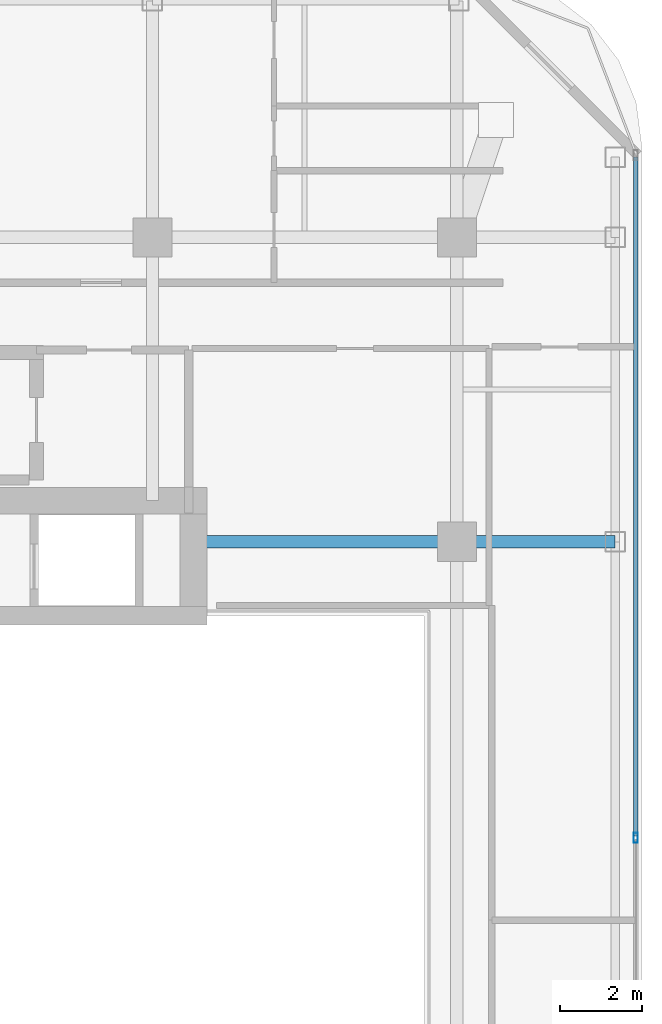
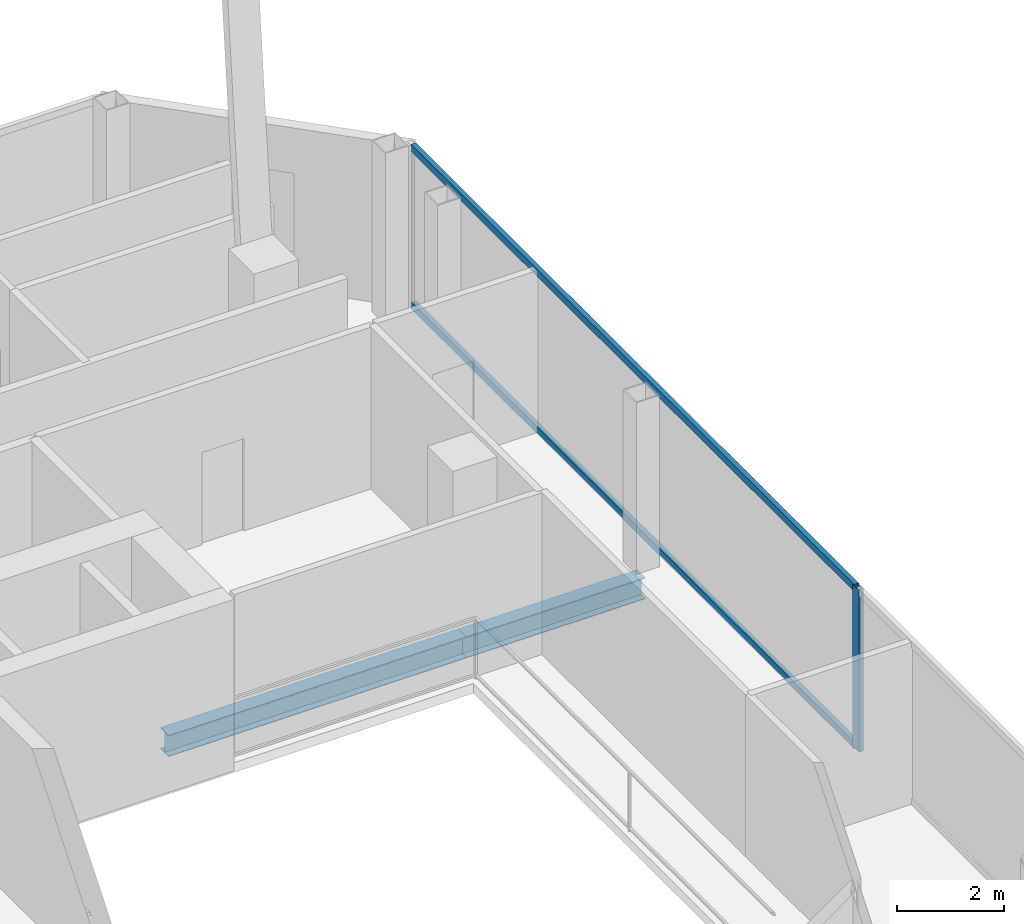
# One storey, part 10 of 24: 3 members, 2 beams, 1 element without a shape of its own.
"""IFC4 building model written with IfcOpenShell, lengths in metres."""

from ifc_helpers import new_model, si_unit, direction, frame, origin, origin_2d, place, context, subcontext, project, spatial, hollow_rectangle, i_section, extrude, material, layer, layer_set, material_profile, profile_set, type_object, element, aggregate, save


model = new_model("IFC4")

# Units and contexts
model_context = context("Model", 3, precision=1e-05, world=origin(), true_north=direction((0.0, 1.0)))
body_context = subcontext(model_context, "Body", "Model", "MODEL_VIEW")
ifc_project = project(units=[si_unit("LENGTHUNIT", "METRE"), si_unit("AREAUNIT", "SQUARE_METRE"), si_unit("VOLUMEUNIT", "CUBIC_METRE"), si_unit("PLANEANGLEUNIT", "RADIAN"), si_unit("MASSUNIT", "GRAM", prefix="KILO")], contexts=[model_context])

# Site, building, storey
site_placement = place(None, origin())
site = spatial("IfcSite", under=ifc_project, at=site_placement, CompositionType="ELEMENT")
building_placement = place(site_placement, origin())
building = spatial("IfcBuilding", under=site, at=building_placement, Name="Khorvyn Point Tower", CompositionType="ELEMENT")
storey_placement = place(building_placement, frame((0.0, 0.0, 301.5)))
storey = spatial("IfcBuildingStorey", under=building, at=storey_placement, Name="L74", CompositionType="ELEMENT", Elevation=301.5)

# Curtain wall, members
ifc_material_1 = material(Name="Anodised aluminium 6063-T6 and laminated Low-E glass", Category="aluminium")
ifc_layer = layer(ifc_material_1, 0.18994140625)
ifc_layer_set = layer_set([ifc_layer], Name="Stick-Built High-Wind Curtain Wall CW-SYS-04")
curtain_wall_type = type_object("IfcCurtainWallType", Name="Stick-Built High-Wind Curtain Wall CW-SYS-04", PredefinedType="NOTDEFINED", material=ifc_layer_set)
curtain_wall_placement = place(storey_placement, origin())
curtain_wall = element("IfcCurtainWall", 1, at=curtain_wall_placement, inside=storey, type_object=curtain_wall_type, Name="Curtain Wall", PredefinedType="NOTDEFINED")
ifc_material_2 = material(Name="Anodised aluminium 6063-T6", Category="aluminium")
ifc_material_profile_1 = material_profile(ifc_material_2, hollow_rectangle(XDim=0.10009765625, YDim=0.239990234375, WallThickness=0.0048828125, at=origin_2d()))
ifc_profile_set_1 = profile_set([ifc_material_profile_1], Name="Anodised aluminium 6063-T6 ALU-MUL-100x240")
member_type_1 = type_object("IfcMemberType", Name="Anodised Aluminium 6063-T6 Mullion ALU-MUL-100x240", PredefinedType="MULLION", material=ifc_profile_set_1)
member_1_placement = place(storey_placement, frame((19.14990234375, 0.199951171875, 0.0), z_axis=(0.0, 0.0, 1.0), x_axis=(1.0, 0.0, 0.0)))
member_1 = element("IfcMember", 2, at=member_1_placement, type_object=member_type_1, Name="Transom", PredefinedType="MULLION", context=body_context, shape_type="SweptSolid", body=[
    extrude(hollow_rectangle(XDim=0.10009765625, YDim=0.239990234375, WallThickness=0.0048828125, at=origin_2d()), origin(), (0.0, 0.0, 1.0), 3.679931640625),
])
ifc_material_profile_2 = material_profile(ifc_material_2, hollow_rectangle(XDim=0.10009765625, YDim=0.159912109375, WallThickness=0.00439453125, at=origin_2d()))
ifc_profile_set_2 = profile_set([ifc_material_profile_2], Name="Anodised aluminium 6063-T6 ALU-TRN-100x160")
member_type_2 = type_object("IfcMemberType", Name="Anodised Aluminium 6063-T6 Transom ALU-TRN-100x160", PredefinedType="USERDEFINED", material=ifc_profile_set_2)
member_2_placement = place(storey_placement, frame((19.14990234375, 16.75, 0.050048828125), z_axis=(0.0, -1.0, 0.0), x_axis=(1.0, 0.0, 0.0)))
member_2 = element("IfcMember", 3, at=member_2_placement, type_object=member_type_2, Name="Transom", ObjectType="TRANSOM", PredefinedType="USERDEFINED", context=body_context, shape_type="SweptSolid", body=[
    extrude(hollow_rectangle(XDim=0.10009765625, YDim=0.159912109375, WallThickness=0.00439453125, at=origin_2d()), origin(), (0.0, 0.0, 1.0), 16.5),
])
member_3_placement = place(storey_placement, frame((19.14990234375, 16.75, 3.6298828125), z_axis=(0.0, -1.0, 0.0), x_axis=(1.0, 0.0, 0.0)))
member_3 = element("IfcMember", 4, at=member_3_placement, type_object=member_type_2, Name="Transom", ObjectType="TRANSOM", PredefinedType="USERDEFINED", context=body_context, shape_type="SweptSolid", body=[
    extrude(hollow_rectangle(XDim=0.10009765625, YDim=0.159912109375, WallThickness=0.00439453125, at=origin_2d()), origin(), (0.0, 0.0, 1.0), 16.5),
])
aggregate(curtain_wall, [member_1, member_2, member_3])

# Beams
ifc_material_3 = material(Name="Steel S355", Category="steel")
ifc_material_profile_3 = material_profile(ifc_material_3, i_section(OverallWidth=0.300048828125, OverallDepth=0.488037109375, WebThickness=0.010986328125, FlangeThickness=0.01806640625, at=origin_2d()))
ifc_profile_set_3 = profile_set([ifc_material_profile_3], Name="Steel S355 H488x300x11x18")
beam_type = type_object("IfcBeamType", Name="Steel S355 Spandrel H488x300x11x18", PredefinedType="SPANDREL", material=ifc_profile_set_3)
beam_1_placement = place(storey_placement, frame((8.39990234375, 7.39990234375, -0.464111328125), z_axis=(1.0, 0.0, 0.0), x_axis=(0.0, 1.0, 0.0)))
element("IfcBeam", 5, at=beam_1_placement, inside=storey, type_object=beam_type, Name="Beam", PredefinedType="SPANDREL", context=body_context, shape_type="SweptSolid", body=[
    extrude(i_section(OverallWidth=0.300048828125, OverallDepth=0.488037109375, WebThickness=0.010986328125, FlangeThickness=0.01806640625, at=origin_2d()), origin(), (0.0, 0.0, 1.0), 6.400146484375),
])
beam_2_placement = place(storey_placement, frame((14.800048828125, 7.39990234375, -0.464111328125), z_axis=(1.0, 0.0, 0.0), x_axis=(0.0, 1.0, 0.0)))
element("IfcBeam", 6, at=beam_2_placement, inside=storey, type_object=beam_type, Name="Beam", PredefinedType="SPANDREL", context=body_context, shape_type="SweptSolid", body=[
    extrude(i_section(OverallWidth=0.300048828125, OverallDepth=0.488037109375, WebThickness=0.010986328125, FlangeThickness=0.01806640625, at=origin_2d()), origin(), (0.0, 0.0, 1.0), 3.849853515625),
])

save(model, "model.ifc")
